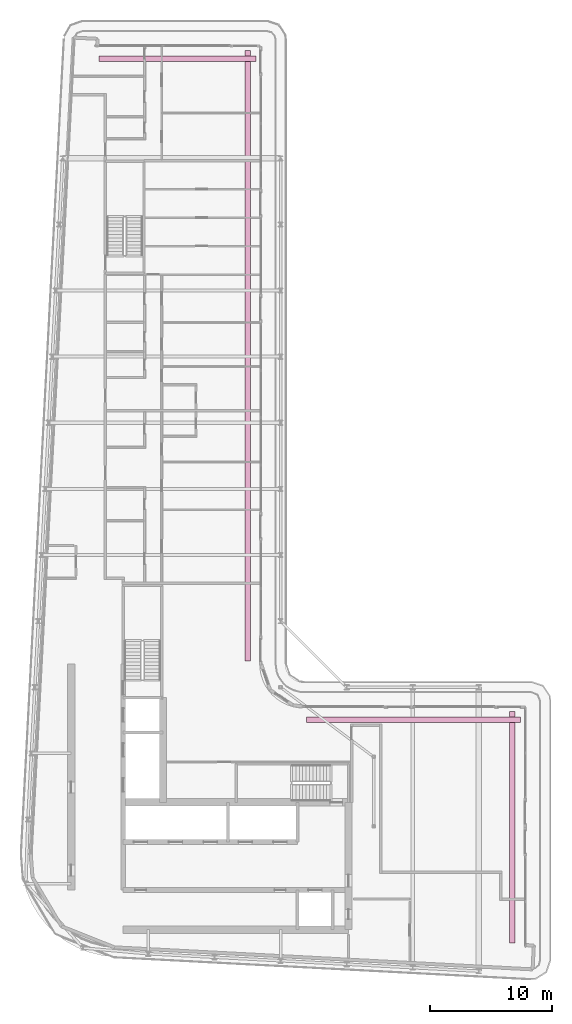
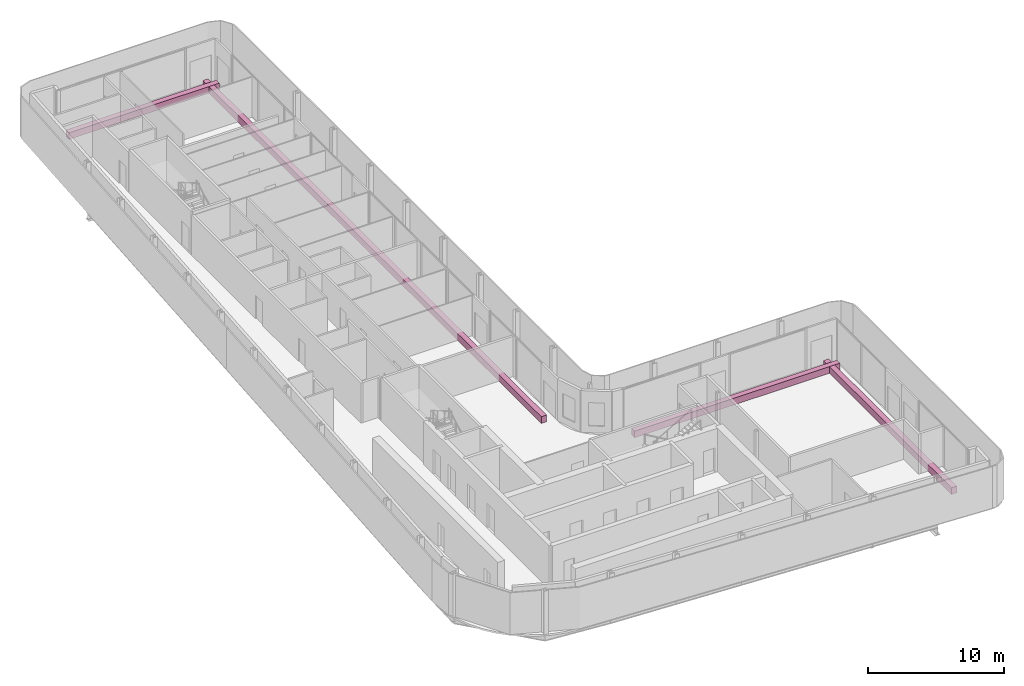
# One storey, part 20 of 20: 4 furniture elements.
"""IFC4 building model written with IfcOpenShell, lengths in metres."""

from ifc_helpers import new_model, si_unit, direction, frame, origin, origin_2d, place, context, subcontext, project, spatial, rectangle, extrude, material, type_object, element, save


model = new_model("IFC4")

# Units and contexts
model_context = context("Model", 3, precision=1e-05, world=origin(), true_north=direction((0.0, 1.0)))
body_context = subcontext(model_context, "Body", "Model", "MODEL_VIEW")
ifc_project = project(units=[si_unit("LENGTHUNIT", "METRE"), si_unit("AREAUNIT", "SQUARE_METRE"), si_unit("VOLUMEUNIT", "CUBIC_METRE"), si_unit("PLANEANGLEUNIT", "RADIAN"), si_unit("MASSUNIT", "GRAM", prefix="KILO")], contexts=[model_context])

# Site, building, storey
site_placement = place(None, origin())
site = spatial("IfcSite", under=ifc_project, at=site_placement, CompositionType="ELEMENT")
building_placement = place(site_placement, origin())
building = spatial("IfcBuilding", under=site, at=building_placement, Name="Kheshtan School and Residences Tower", CompositionType="ELEMENT")
storey_placement = place(building_placement, frame((0.0, 0.0, 286.39990234375)))
storey = spatial("IfcBuildingStorey", under=building, at=storey_placement, Name="L67", CompositionType="ELEMENT", Elevation=286.39990234375)

# Furniture
ifc_material = material(Name="Precast concrete C30/37 in terracotta finish", Category="masonry")
furniture_type = type_object("IfcFurnitureType", Name="Planter trough", AssemblyPlace="NOTDEFINED", PredefinedType="USERDEFINED", material=ifc_material)
furniture_1_placement = place(storey_placement, frame((39.196044921875, 96.925048828125, 0.0), z_axis=(0.0, 0.0, 1.0), x_axis=(1.0, 0.0, 0.0)))
element("IfcFurniture", 1, at=furniture_1_placement, inside=storey, type_object=furniture_type, Name="Planter L67", ObjectType="PLANTER", PredefinedType="USERDEFINED", context=body_context, shape_type="SweptSolid", body=[
    extrude(rectangle(XDim=12.80810546875, YDim=0.449951171875, at=origin_2d()), origin(), (0.0, 0.0, 1.0), 0.60009765625),
])
furniture_2_placement = place(storey_placement, frame((44.925048828125, 72.6650390625, 0.0), z_axis=(0.0, 0.0, 1.0), x_axis=(0.0, -1.0, 0.0)))
element("IfcFurniture", 2, at=furniture_2_placement, inside=storey, type_object=furniture_type, Name="Planter L67", ObjectType="PLANTER", PredefinedType="USERDEFINED", context=body_context, shape_type="SweptSolid", body=[
    extrude(rectangle(XDim=49.8701171875, YDim=0.449951171875, at=origin_2d()), origin(), (0.0, 0.0, 1.0), 0.60009765625),
])
furniture_3_placement = place(storey_placement, frame((58.465087890625, 42.925048828125, 0.0), z_axis=(0.0, 0.0, 1.0), x_axis=(1.0, 0.0, 0.0)))
element("IfcFurniture", 3, at=furniture_3_placement, inside=storey, type_object=furniture_type, Name="Planter L67", ObjectType="PLANTER", PredefinedType="USERDEFINED", context=body_context, shape_type="SweptSolid", body=[
    extrude(rectangle(XDim=17.469970703125, YDim=0.449951171875, at=origin_2d()), origin(), (0.0, 0.0, 1.0), 0.60009765625),
])
furniture_4_placement = place(storey_placement, frame((66.52490234375, 34.159912109375, 0.0), z_axis=(0.0, 0.0, 1.0), x_axis=(0.0, -1.0, 0.0)))
element("IfcFurniture", 4, at=furniture_4_placement, inside=storey, type_object=furniture_type, Name="Planter L67", ObjectType="PLANTER", PredefinedType="USERDEFINED", context=body_context, shape_type="SweptSolid", body=[
    extrude(rectangle(XDim=18.881103515625, YDim=0.449951171875, at=origin_2d()), origin(), (0.0, 0.0, 1.0), 0.60009765625),
])

save(model, "model.ifc")
